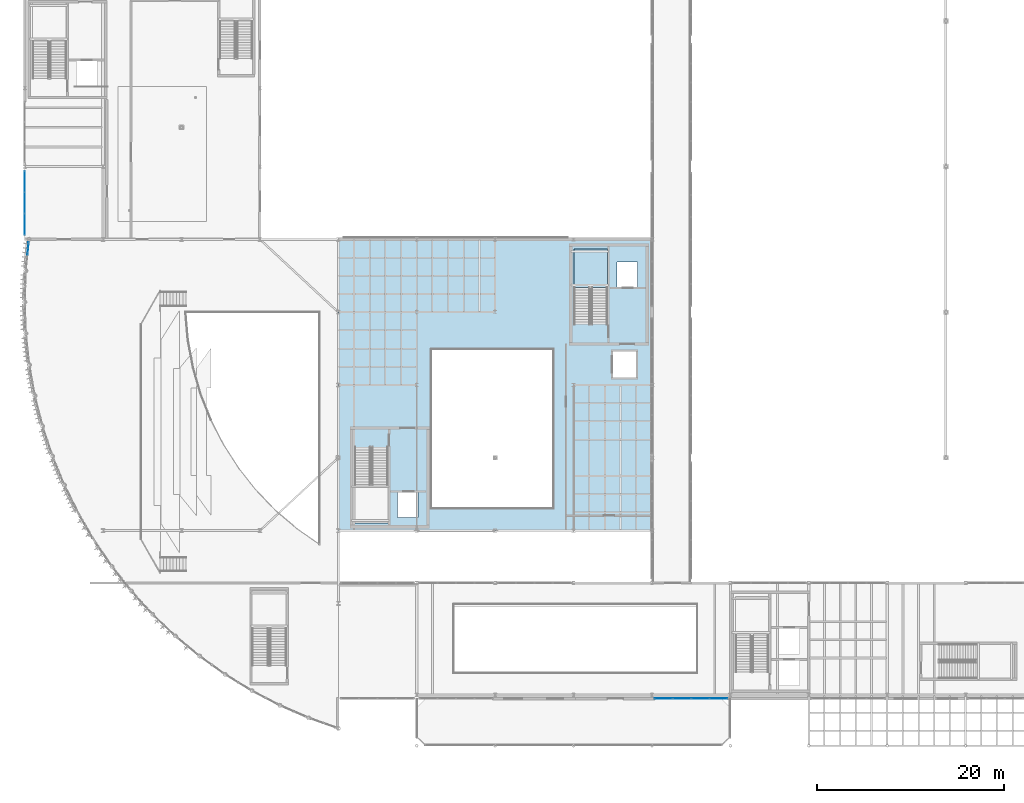
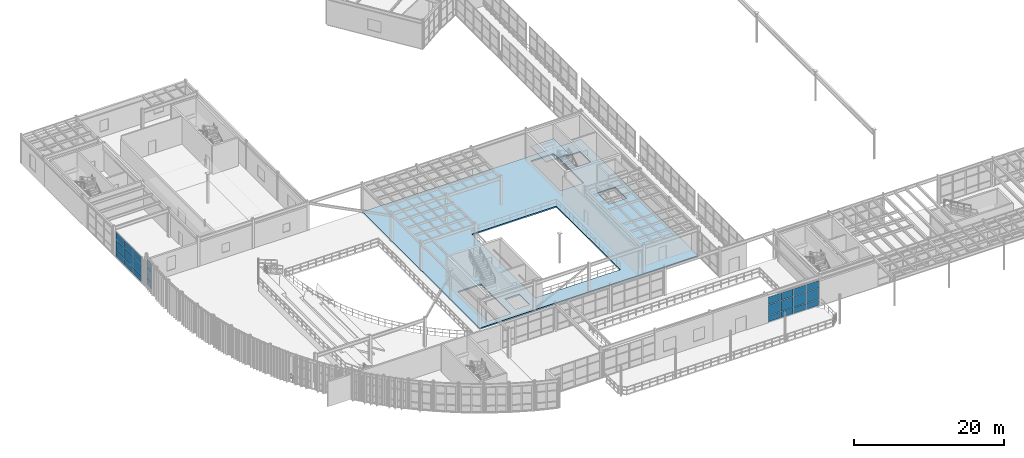
# One storey, part 83 of 116: 24 plates, 2 slabs, 4 elements without a shape of their own.
"""IFC4 building model written with IfcOpenShell, lengths in metres."""

from ifc_helpers import new_model, si_unit, direction, frame, origin, origin_2d, place, context, subcontext, project, spatial, polyline, rectangle, outline, extrude, material, layer, layer_set, type_object, element, aggregate, save


model = new_model("IFC4")

# Units and contexts
model_context = context("Model", 3, precision=1e-05, world=origin(), true_north=direction((0.0, 1.0)))
body_context = subcontext(model_context, "Body", "Model", "MODEL_VIEW")
ifc_project = project(units=[si_unit("LENGTHUNIT", "METRE"), si_unit("AREAUNIT", "SQUARE_METRE"), si_unit("VOLUMEUNIT", "CUBIC_METRE"), si_unit("PLANEANGLEUNIT", "RADIAN"), si_unit("MASSUNIT", "GRAM", prefix="KILO")], contexts=[model_context])

# Site, building, storey
site_placement = place(None, origin())
site = spatial("IfcSite", under=ifc_project, at=site_placement, CompositionType="ELEMENT")
building_placement = place(site_placement, origin())
building = spatial("IfcBuilding", under=site, at=building_placement, Name="Selat Folded Stagehouse", CompositionType="ELEMENT")
storey_placement = place(building_placement, frame((0.0, 0.0, 5.39990234375)))
storey = spatial("IfcBuildingStorey", under=building, at=storey_placement, Name="L01", CompositionType="ELEMENT", Elevation=5.39990234375)

# Curtain wall, plates
ifc_material_1 = material(Name="Aluminium 6063-T6", Category="aluminium")
ifc_layer_1 = layer(ifc_material_1, 0.179931640625)
ifc_layer_set_1 = layer_set([ifc_layer_1], Name="Aluminium 6063-T6")
curtain_wall_type_1 = type_object("IfcCurtainWallType", Name="CW-BBX-FOYER", PredefinedType="NOTDEFINED", material=ifc_layer_set_1)
curtain_wall_1_placement = place(storey_placement, origin())
curtain_wall_1 = element("IfcCurtainWall", 1, at=curtain_wall_1_placement, inside=storey, type_object=curtain_wall_type_1, Name="L01 curtain wall CW-BRG-21", PredefinedType="NOTDEFINED")
ifc_material_2 = material(Name="Clear laminated double glazing", Category="glass")
ifc_layer_2 = layer(ifc_material_2, 0.028076171875)
ifc_layer_set_2 = layer_set([ifc_layer_2], Name="Clear laminated double glazing")
plate_type_1 = type_object("IfcPlateType", Name="CWP-GLZ-DGU28", PredefinedType="CURTAIN_PANEL", material=ifc_layer_set_2)
plate_1_placement = place(storey_placement, frame((0.0, 56.215087890625, 0.06494140625), z_axis=(0.0, 0.0, 1.0), x_axis=(0.0, 1.0, 0.0)))
plate_1 = element("IfcPlate", 2, at=plate_1_placement, type_object=plate_type_1, Name="CW-08 panel 1.1", PredefinedType="CURTAIN_PANEL", context=body_context, shape_type="SweptSolid", body=[
    extrude(rectangle(XDim=2.2099609375, YDim=0.028076171875, at=origin_2d()), origin(), (0.0, 0.0, 1.0), 0.952392578125),
])
plate_2_placement = place(storey_placement, frame((0.0, 56.215087890625, 1.08251953125), z_axis=(0.0, 0.0, 1.0), x_axis=(0.0, 1.0, 0.0)))
plate_2 = element("IfcPlate", 3, at=plate_2_placement, type_object=plate_type_1, Name="CW-08 panel 1.2", PredefinedType="CURTAIN_PANEL", context=body_context, shape_type="SweptSolid", body=[
    extrude(rectangle(XDim=2.2099609375, YDim=0.028076171875, at=origin_2d()), origin(), (0.0, 0.0, 1.0), 1.735107421875),
])
plate_3_placement = place(storey_placement, frame((0.0, 56.215087890625, 2.8828125), z_axis=(0.0, 0.0, 1.0), x_axis=(0.0, 1.0, 0.0)))
plate_3 = element("IfcPlate", 4, at=plate_3_placement, type_object=plate_type_1, Name="CW-08 panel 1.3", PredefinedType="CURTAIN_PANEL", context=body_context, shape_type="SweptSolid", body=[
    extrude(rectangle(XDim=2.2099609375, YDim=0.028076171875, at=origin_2d()), origin(), (0.0, 0.0, 1.0), 1.202392578125),
])
plate_4_placement = place(storey_placement, frame((0.0, 58.5, 0.06494140625), z_axis=(0.0, 0.0, 1.0), x_axis=(0.0, 1.0, 0.0)))
plate_4 = element("IfcPlate", 5, at=plate_4_placement, type_object=plate_type_1, Name="CW-08 panel 2.1", PredefinedType="CURTAIN_PANEL", context=body_context, shape_type="SweptSolid", body=[
    extrude(rectangle(XDim=2.239990234375, YDim=0.028076171875, at=origin_2d()), origin(), (0.0, 0.0, 1.0), 0.952392578125),
])
plate_5_placement = place(storey_placement, frame((0.0, 58.5, 1.08251953125), z_axis=(0.0, 0.0, 1.0), x_axis=(0.0, 1.0, 0.0)))
plate_5 = element("IfcPlate", 6, at=plate_5_placement, type_object=plate_type_1, Name="CW-08 panel 2.2", PredefinedType="CURTAIN_PANEL", context=body_context, shape_type="SweptSolid", body=[
    extrude(rectangle(XDim=2.239990234375, YDim=0.028076171875, at=origin_2d()), origin(), (0.0, 0.0, 1.0), 1.735107421875),
])
plate_6_placement = place(storey_placement, frame((0.0, 58.5, 2.8828125), z_axis=(0.0, 0.0, 1.0), x_axis=(0.0, 1.0, 0.0)))
plate_6 = element("IfcPlate", 7, at=plate_6_placement, type_object=plate_type_1, Name="CW-08 panel 2.3", PredefinedType="CURTAIN_PANEL", context=body_context, shape_type="SweptSolid", body=[
    extrude(rectangle(XDim=2.239990234375, YDim=0.028076171875, at=origin_2d()), origin(), (0.0, 0.0, 1.0), 1.202392578125),
])
plate_7_placement = place(storey_placement, frame((0.0, 60.784912109375, 0.06494140625), z_axis=(0.0, 0.0, 1.0), x_axis=(0.0, 1.0, 0.0)))
plate_7 = element("IfcPlate", 8, at=plate_7_placement, type_object=plate_type_1, Name="CW-08 panel 3.1", PredefinedType="CURTAIN_PANEL", context=body_context, shape_type="SweptSolid", body=[
    extrude(rectangle(XDim=2.2099609375, YDim=0.028076171875, at=origin_2d()), origin(), (0.0, 0.0, 1.0), 0.952392578125),
])
plate_8_placement = place(storey_placement, frame((0.0, 60.784912109375, 1.08251953125), z_axis=(0.0, 0.0, 1.0), x_axis=(0.0, 1.0, 0.0)))
plate_8 = element("IfcPlate", 9, at=plate_8_placement, type_object=plate_type_1, Name="CW-08 panel 3.2", PredefinedType="CURTAIN_PANEL", context=body_context, shape_type="SweptSolid", body=[
    extrude(rectangle(XDim=2.2099609375, YDim=0.028076171875, at=origin_2d()), origin(), (0.0, 0.0, 1.0), 1.735107421875),
])
plate_9_placement = place(storey_placement, frame((0.0, 60.784912109375, 2.8828125), z_axis=(0.0, 0.0, 1.0), x_axis=(0.0, 1.0, 0.0)))
plate_9 = element("IfcPlate", 10, at=plate_9_placement, type_object=plate_type_1, Name="CW-08 panel 3.3", PredefinedType="CURTAIN_PANEL", context=body_context, shape_type="SweptSolid", body=[
    extrude(rectangle(XDim=2.2099609375, YDim=0.028076171875, at=origin_2d()), origin(), (0.0, 0.0, 1.0), 1.202392578125),
])
aggregate(curtain_wall_1, [plate_1, plate_2, plate_3, plate_4, plate_5, plate_6, plate_7, plate_8, plate_9])

ifc_layer_3 = layer(ifc_material_1, 0.199951171875)
ifc_layer_set_3 = layer_set([ifc_layer_3], Name="Aluminium 6063-T6")
curtain_wall_type_2 = type_object("IfcCurtainWallType", Name="CW-DRM-MID", PredefinedType="NOTDEFINED", material=ifc_layer_set_3)
curtain_wall_2_placement = place(storey_placement, origin())
curtain_wall_2 = element("IfcCurtainWall", 11, at=curtain_wall_2_placement, inside=storey, type_object=curtain_wall_type_2, Name="L01 curtain wall CW-DRM-L01-00", PredefinedType="NOTDEFINED")
ifc_material_3 = material(Name="Acoustic laminated double glazing", Category="glass")
ifc_layer_4 = layer(ifc_material_3, 0.035888671875)
ifc_layer_set_4 = layer_set([ifc_layer_4], Name="Acoustic laminated double glazing")
plate_type_2 = type_object("IfcPlateType", Name="CWP-GLZ-DGU36", PredefinedType="CURTAIN_PANEL", material=ifc_layer_set_4)
plate_10_placement = place(storey_placement, frame((0.354736328125, 53.620361328125, 0.06982421875), z_axis=(0.0, 0.0, 1.0), x_axis=(0.102616116059, 0.994721032614, 0.0)))
plate_10 = element("IfcPlate", 12, at=plate_10_placement, type_object=plate_type_2, Name="CW-02 panel 2.1", PredefinedType="CURTAIN_PANEL", context=body_context, shape_type="SweptSolid", body=[
    extrude(rectangle(XDim=1.32958984375, YDim=0.035888671875, at=origin_2d()), origin(), (0.0, 0.0, 1.0), 0.945068359375),
])
plate_11_placement = place(storey_placement, frame((0.354736328125, 53.620361328125, 1.085205078125), z_axis=(0.0, 0.0, 1.0), x_axis=(0.102616116059, 0.994721032614, 0.0)))
plate_11 = element("IfcPlate", 13, at=plate_11_placement, type_object=plate_type_2, Name="CW-02 panel 2.2", PredefinedType="CURTAIN_PANEL", context=body_context, shape_type="SweptSolid", body=[
    extrude(rectangle(XDim=1.32958984375, YDim=0.035888671875, at=origin_2d()), origin(), (0.0, 0.0, 1.0), 1.72998046875),
])
plate_12_placement = place(storey_placement, frame((0.354736328125, 53.620361328125, 2.885009765625), z_axis=(0.0, 0.0, 1.0), x_axis=(0.102616116059, 0.994721032614, 0.0)))
plate_12 = element("IfcPlate", 14, at=plate_12_placement, type_object=plate_type_2, Name="CW-02 panel 2.3", PredefinedType="CURTAIN_PANEL", context=body_context, shape_type="SweptSolid", body=[
    extrude(rectangle(XDim=1.32958984375, YDim=0.035888671875, at=origin_2d()), origin(), (0.0, 0.0, 1.0), 1.18505859375),
])
aggregate(curtain_wall_2, [plate_10, plate_11, plate_12])

ifc_layer_5 = layer(ifc_material_1, 0.2099609375)
ifc_layer_set_5 = layer_set([ifc_layer_5], Name="Aluminium 6063-T6")
curtain_wall_type_3 = type_object("IfcCurtainWallType", Name="CW-FYR-SOUTH", PredefinedType="NOTDEFINED", material=ifc_layer_set_5)
curtain_wall_3_placement = place(storey_placement, origin())
curtain_wall_3 = element("IfcCurtainWall", 15, at=curtain_wall_3_placement, inside=storey, type_object=curtain_wall_type_3, Name="L01 curtain wall CW-FYR-L01-03", PredefinedType="NOTDEFINED")
plate_13_placement = place(storey_placement, frame((74.34619140625, 5.39990234375, 0.06494140625), z_axis=(0.0, 0.0, 1.0), x_axis=(-1.0, 0.0, 0.0)))
plate_13 = element("IfcPlate", 16, at=plate_13_placement, type_object=plate_type_2, Name="CW-04 panel 1.1", PredefinedType="CURTAIN_PANEL", context=body_context, shape_type="SweptSolid", body=[
    extrude(rectangle(XDim=1.87744140625, YDim=0.035888671875, at=origin_2d()), origin(), (0.0, 0.0, 1.0), 0.952392578125),
])
plate_14_placement = place(storey_placement, frame((74.34619140625, 5.39990234375, 1.08251953125), z_axis=(0.0, 0.0, 1.0), x_axis=(-1.0, 0.0, 0.0)))
plate_14 = element("IfcPlate", 17, at=plate_14_placement, type_object=plate_type_2, Name="CW-04 panel 1.2", PredefinedType="CURTAIN_PANEL", context=body_context, shape_type="SweptSolid", body=[
    extrude(rectangle(XDim=1.87744140625, YDim=0.035888671875, at=origin_2d()), origin(), (0.0, 0.0, 1.0), 1.735107421875),
])
plate_15_placement = place(storey_placement, frame((74.34619140625, 5.39990234375, 2.88232421875), z_axis=(0.0, 0.0, 1.0), x_axis=(-1.0, 0.0, 0.0)))
plate_15 = element("IfcPlate", 18, at=plate_15_placement, type_object=plate_type_2, Name="CW-04 panel 1.3", PredefinedType="CURTAIN_PANEL", context=body_context, shape_type="SweptSolid", body=[
    extrude(rectangle(XDim=1.87744140625, YDim=0.035888671875, at=origin_2d()), origin(), (0.0, 0.0, 1.0), 1.172607421875),
])
plate_16_placement = place(storey_placement, frame((72.387451171875, 5.39990234375, 0.06494140625), z_axis=(0.0, 0.0, 1.0), x_axis=(-1.0, 0.0, 0.0)))
plate_16 = element("IfcPlate", 19, at=plate_16_placement, type_object=plate_type_2, Name="CW-04 panel 2.1", PredefinedType="CURTAIN_PANEL", context=body_context, shape_type="SweptSolid", body=[
    extrude(rectangle(XDim=1.909912109375, YDim=0.035888671875, at=origin_2d()), origin(), (0.0, 0.0, 1.0), 0.952392578125),
])
plate_17_placement = place(storey_placement, frame((72.387451171875, 5.39990234375, 1.08251953125), z_axis=(0.0, 0.0, 1.0), x_axis=(-1.0, 0.0, 0.0)))
plate_17 = element("IfcPlate", 20, at=plate_17_placement, type_object=plate_type_2, Name="CW-04 panel 2.2", PredefinedType="CURTAIN_PANEL", context=body_context, shape_type="SweptSolid", body=[
    extrude(rectangle(XDim=1.909912109375, YDim=0.035888671875, at=origin_2d()), origin(), (0.0, 0.0, 1.0), 1.735107421875),
])
plate_18_placement = place(storey_placement, frame((72.387451171875, 5.39990234375, 2.88232421875), z_axis=(0.0, 0.0, 1.0), x_axis=(-1.0, 0.0, 0.0)))
plate_18 = element("IfcPlate", 21, at=plate_18_placement, type_object=plate_type_2, Name="CW-04 panel 2.3", PredefinedType="CURTAIN_PANEL", context=body_context, shape_type="SweptSolid", body=[
    extrude(rectangle(XDim=1.909912109375, YDim=0.035888671875, at=origin_2d()), origin(), (0.0, 0.0, 1.0), 1.172607421875),
])
plate_19_placement = place(storey_placement, frame((70.41259765625, 5.39990234375, 0.06494140625), z_axis=(0.0, 0.0, 1.0), x_axis=(-1.0, 0.0, 0.0)))
plate_19 = element("IfcPlate", 22, at=plate_19_placement, type_object=plate_type_2, Name="CW-04 panel 3.1", PredefinedType="CURTAIN_PANEL", context=body_context, shape_type="SweptSolid", body=[
    extrude(rectangle(XDim=1.909912109375, YDim=0.035888671875, at=origin_2d()), origin(), (0.0, 0.0, 1.0), 0.952392578125),
])
plate_20_placement = place(storey_placement, frame((70.41259765625, 5.39990234375, 1.08251953125), z_axis=(0.0, 0.0, 1.0), x_axis=(-1.0, 0.0, 0.0)))
plate_20 = element("IfcPlate", 23, at=plate_20_placement, type_object=plate_type_2, Name="CW-04 panel 3.2", PredefinedType="CURTAIN_PANEL", context=body_context, shape_type="SweptSolid", body=[
    extrude(rectangle(XDim=1.909912109375, YDim=0.035888671875, at=origin_2d()), origin(), (0.0, 0.0, 1.0), 1.735107421875),
])
plate_21_placement = place(storey_placement, frame((70.41259765625, 5.39990234375, 2.88232421875), z_axis=(0.0, 0.0, 1.0), x_axis=(-1.0, 0.0, 0.0)))
plate_21 = element("IfcPlate", 24, at=plate_21_placement, type_object=plate_type_2, Name="CW-04 panel 3.3", PredefinedType="CURTAIN_PANEL", context=body_context, shape_type="SweptSolid", body=[
    extrude(rectangle(XDim=1.909912109375, YDim=0.035888671875, at=origin_2d()), origin(), (0.0, 0.0, 1.0), 1.172607421875),
])
plate_22_placement = place(storey_placement, frame((68.453857421875, 5.39990234375, 0.06494140625), z_axis=(0.0, 0.0, 1.0), x_axis=(-1.0, 0.0, 0.0)))
plate_22 = element("IfcPlate", 25, at=plate_22_placement, type_object=plate_type_2, Name="CW-04 panel 4.1", PredefinedType="CURTAIN_PANEL", context=body_context, shape_type="SweptSolid", body=[
    extrude(rectangle(XDim=1.87744140625, YDim=0.035888671875, at=origin_2d()), origin(), (0.0, 0.0, 1.0), 0.952392578125),
])
plate_23_placement = place(storey_placement, frame((68.453857421875, 5.39990234375, 1.08251953125), z_axis=(0.0, 0.0, 1.0), x_axis=(-1.0, 0.0, 0.0)))
plate_23 = element("IfcPlate", 26, at=plate_23_placement, type_object=plate_type_2, Name="CW-04 panel 4.2", PredefinedType="CURTAIN_PANEL", context=body_context, shape_type="SweptSolid", body=[
    extrude(rectangle(XDim=1.87744140625, YDim=0.035888671875, at=origin_2d()), origin(), (0.0, 0.0, 1.0), 1.735107421875),
])
plate_24_placement = place(storey_placement, frame((68.453857421875, 5.39990234375, 2.88232421875), z_axis=(0.0, 0.0, 1.0), x_axis=(-1.0, 0.0, 0.0)))
plate_24 = element("IfcPlate", 27, at=plate_24_placement, type_object=plate_type_2, Name="CW-04 panel 4.3", PredefinedType="CURTAIN_PANEL", context=body_context, shape_type="SweptSolid", body=[
    extrude(rectangle(XDim=1.87744140625, YDim=0.035888671875, at=origin_2d()), origin(), (0.0, 0.0, 1.0), 1.172607421875),
])
aggregate(curtain_wall_3, [plate_13, plate_14, plate_15, plate_16, plate_17, plate_18, plate_19, plate_20, plate_21, plate_22, plate_23, plate_24])

# Slab
ifc_material_4 = material(Name="Concrete C40/50", Category="concrete")
ifc_layer_6 = layer(ifc_material_4, 0.219970703125)
ifc_layer_set_6 = layer_set([ifc_layer_6], Name="Concrete C40/50")
slab_type_1 = type_object("IfcSlabType", Name="SLAB-FLR-220", PredefinedType="FLOOR", material=ifc_layer_set_6)
slab_1_placement = place(storey_placement, frame((0.0, 0.0, -0.219970703125)))
element("IfcSlab", 28, at=slab_1_placement, inside=storey, type_object=slab_type_1, Name="L01 V2 floor slab SL-L01-V2", PredefinedType="FLOOR", context=body_context, shape_type="SweptSolid", body=[
    extrude(outline(polyline([(33.60009765625, 23.39990234375), (67.199951171875, 23.39990234375), (67.199951171875, 54.60009765625), (33.60009765625, 54.60009765625), (33.60009765625, 23.39990234375)]), holes=[polyline([(39.949951171875, 24.800048828125), (39.949951171875, 27.60009765625), (42.14990234375, 27.60009765625), (42.14990234375, 24.800048828125), (39.949951171875, 24.800048828125)]), polyline([(35.360107421875, 32.179931640625), (38.919921875, 32.179931640625), (38.919921875, 24.239990234375), (35.360107421875, 24.239990234375), (35.360107421875, 32.179931640625)]), polyline([(43.60009765625, 25.800048828125), (43.60009765625, 42.800048828125), (56.60009765625, 42.800048828125), (56.60009765625, 25.800048828125), (43.60009765625, 25.800048828125)]), polyline([(62.89990234375, 39.699951171875), (62.89990234375, 42.699951171875), (65.60009765625, 42.699951171875), (65.60009765625, 39.699951171875), (62.89990234375, 39.699951171875)]), polyline([(58.860107421875, 53.56005859375), (62.419921875, 53.56005859375), (62.419921875, 45.6201171875), (58.860107421875, 45.6201171875), (58.860107421875, 53.56005859375)]), polyline([(63.449951171875, 52.199951171875), (65.64990234375, 52.199951171875), (65.64990234375, 49.39990234375), (63.449951171875, 49.39990234375), (63.449951171875, 52.199951171875)])]), origin(), (0.0, 0.0, 1.0), 0.219970703125),
])

# Stair, slab
stair_type = type_object("IfcStairType", Name="STR-DOG-1700-30R", PredefinedType="HALF_TURN_STAIR", material=ifc_material_4)
stair_placement = place(storey_placement, origin())
stair = element("IfcStair", 29, at=stair_placement, inside=storey, type_object=stair_type, Name="L01 Core 2 North-East Stage Fire Core", PredefinedType="HALF_TURN_STAIR")
ifc_layer_7 = layer(ifc_material_4, 0.199951171875)
ifc_layer_set_7 = layer_set([ifc_layer_7], Name="Concrete C40/50")
slab_type_2 = type_object("IfcSlabType", Name="SLAB-STR-LDG-200", PredefinedType="LANDING", material=ifc_layer_set_7)
slab_2_placement = place(storey_placement, frame((0.0, 0.0, 2.2001953125)))
slab_2 = element("IfcSlab", 30, at=slab_2_placement, type_object=slab_type_2, Name="ST-1700-30R landing 1", PredefinedType="LANDING", context=body_context, shape_type="SweptSolid", body=[
    extrude(outline(polyline([(62.419921875, 49.449951171875), (62.419921875, 53.56005859375), (58.860107421875, 53.56005859375), (58.860107421875, 49.449951171875), (62.419921875, 49.449951171875)])), origin(), (0.0, 0.0, 1.0), 0.199951171875),
])
aggregate(stair, [slab_2])

save(model, "model.ifc")
